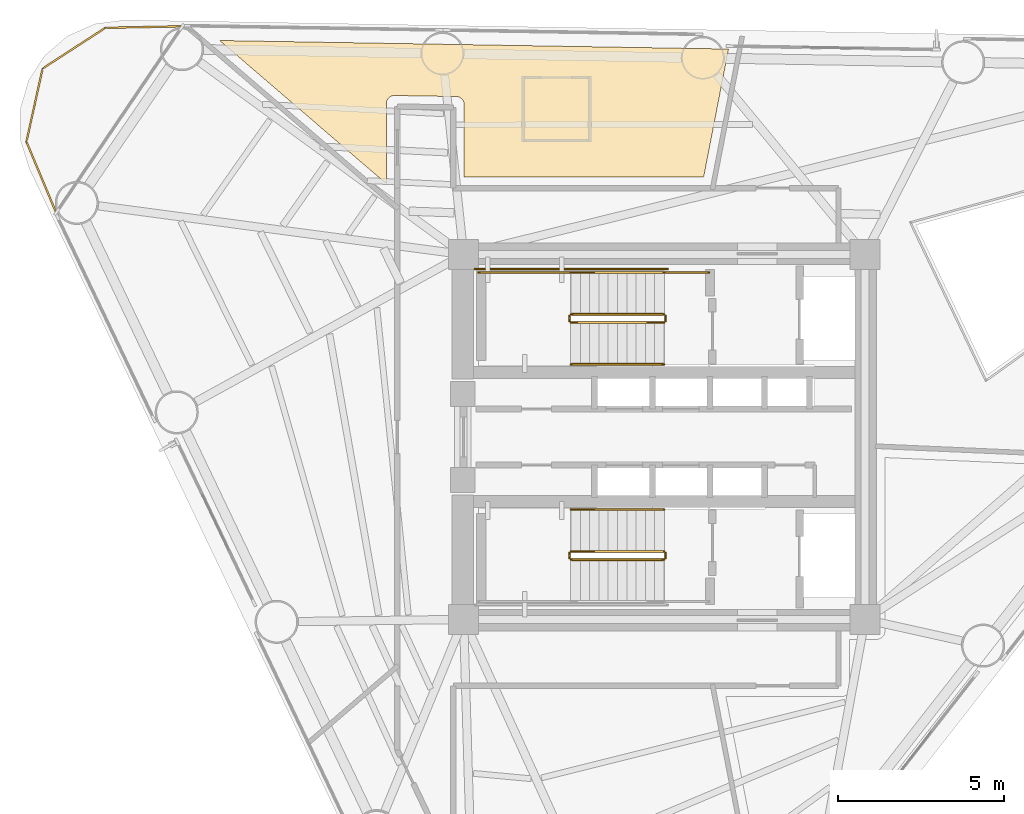
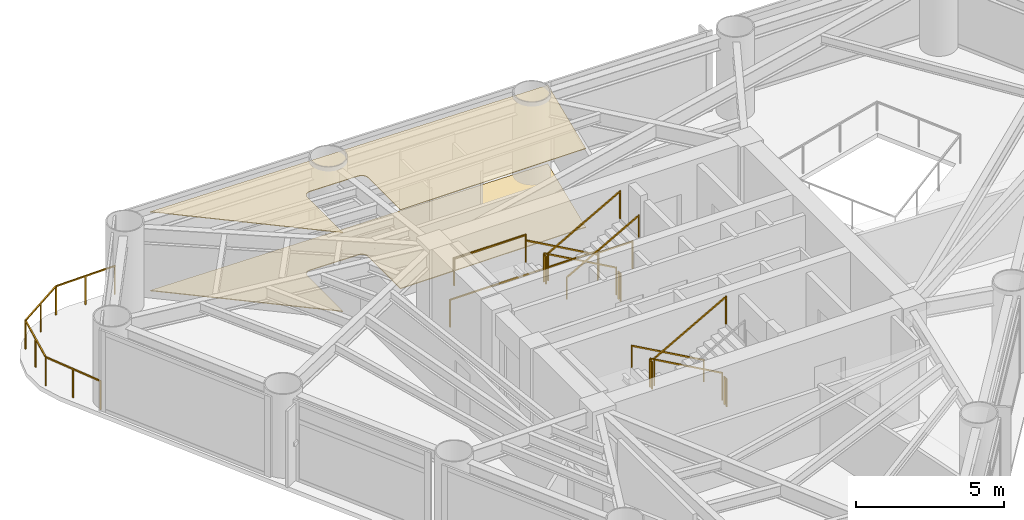
# One storey, part 9 of 10: 15 railings, 2 coverings.
"""IFC4 building model written with IfcOpenShell, lengths in metres."""

import ifcopenshell
import ifcopenshell.guid

model = None  # the IFC model being written
_history = None  # IfcOwnerHistory: only IFC2X3 demands one
_inside = {}  # id of a spatial element -> (the spatial element, [elements in it])
_under = {}  # id of a project, library or spatial element -> (it, [spatial elements below it])
_declared = {}  # id of a project -> (the project, [libraries it declares])
_typed = {}  # id of a type object -> (the type object, [elements of that type])
_made_of = {}  # id of a material, layer set ... -> (it, [elements and type objects made of it])


def new_model(schema):
    """Start an empty IFC model of exactly this schema.

    Asked for "IFC4X3", IfcOpenShell would pick the latest addendum, in which some entities
    have other attributes; the version numbers below select the first issue.
    IFC2X3 requires an IfcOwnerHistory on every rooted entity: one is made here for all.
    """
    global model, _history
    if schema == "IFC4X3":
        model = ifcopenshell.file(schema_version=(4, 3, 0, 0))
    else:
        model = ifcopenshell.file(schema=schema)
    _inside.clear()
    _under.clear()
    _declared.clear()
    _typed.clear()
    _made_of.clear()
    _history = None
    if model.schema == "IFC2X3":
        org = make("IfcOrganization", Name="unknown")
        user = make(
            "IfcPersonAndOrganization",
            ThePerson=make("IfcPerson", FamilyName="unknown"),
            TheOrganization=org,
        )
        app = make(
            "IfcApplication",
            ApplicationDeveloper=org,
            Version="unknown",
            ApplicationFullName="unknown",
            ApplicationIdentifier="unknown",
        )
        _history = make(
            "IfcOwnerHistory",
            OwningUser=user,
            OwningApplication=app,
            ChangeAction="ADDED",
            CreationDate=0,
        )
    return model


def make(cls, **values):
    """One entity of the class cls with the attributes given. An attribute that is None is left unset."""
    return model.create_entity(
        cls, **{name: value for name, value in values.items() if value is not None}
    )


def rooted(cls, **values):
    """An entity with a GlobalId (a new one), such as an element, a storey or a relation."""
    return make(cls, GlobalId=ifcopenshell.guid.new(), OwnerHistory=_history, **values)


def si_unit(unit_type, name, prefix=None):
    """IfcSIUnit, for example si_unit("LENGTHUNIT", "METRE", prefix="MILLI")."""
    return make("IfcSIUnit", UnitType=unit_type, Prefix=prefix, Name=name)


def assignment(units):
    """IfcUnitAssignment: the units of a project."""
    return None if units is None else make("IfcUnitAssignment", Units=units)


def point(xyz):
    """IfcCartesianPoint."""
    return None if xyz is None else make("IfcCartesianPoint", Coordinates=xyz)


def direction(xyz):
    """IfcDirection."""
    return None if xyz is None else make("IfcDirection", DirectionRatios=xyz)


def frame(location, z_axis=None, x_axis=None):
    """IfcAxis2Placement3D, a coordinate frame: its origin and axes. An axis left out is left unset."""
    return make(
        "IfcAxis2Placement3D",
        Location=point(location),
        Axis=direction(z_axis),
        RefDirection=direction(x_axis),
    )


def frame_2d(location, x_axis=None):
    """IfcAxis2Placement2D, a coordinate frame in the plane: its origin and x axis."""
    return make(
        "IfcAxis2Placement2D", Location=point(location), RefDirection=direction(x_axis)
    )


def origin():
    """The frame at (0, 0, 0) with its axes left unset."""
    return frame((0.0, 0.0, 0.0))


def origin_2d():
    """The frame at (0, 0) in the plane with its x axis left unset."""
    return frame_2d((0.0, 0.0))


def place(relative_to, where):
    """IfcLocalPlacement: puts the frame where relative to a parent placement (None: the world)."""
    return make(
        "IfcLocalPlacement", PlacementRelTo=relative_to, RelativePlacement=where
    )


def context(
    kind, dimensions, precision=None, world=None, true_north=None, identifier=None
):
    """IfcGeometricRepresentationContext, for example the 3D "Model" context."""
    return make(
        "IfcGeometricRepresentationContext",
        ContextIdentifier=identifier,
        ContextType=kind,
        CoordinateSpaceDimension=dimensions,
        Precision=precision,
        WorldCoordinateSystem=world,
        TrueNorth=true_north,
    )


def subcontext(parent, identifier, kind, view, scale=None):
    """IfcGeometricRepresentationSubContext, for example "Body" below "Model"."""
    return make(
        "IfcGeometricRepresentationSubContext",
        ContextIdentifier=identifier,
        ContextType=kind,
        ParentContext=parent,
        TargetScale=scale,
        TargetView=view,
    )


def project(units=None, contexts=None):
    """IfcProject with its units and contexts."""
    return rooted(
        "IfcProject",
        Name="project",
        RepresentationContexts=contexts,
        UnitsInContext=assignment(units),
    )


def spatial(cls, under=None, at=None, **own):
    """A site, building, storey or space (cls), placed at a placement, below another one or the project."""
    s = rooted(cls, ObjectPlacement=at, **own)
    if under is not None:
        _under.setdefault(under.id(), (under, []))[1].append(s)
    return s


def polyline(points):
    """IfcPolyline through the points."""
    return make("IfcPolyline", Points=[point(p) for p in points])


def profile(cls, at=None, kind="AREA", **sizes):
    """A parametric profile (cls). Its sizes go by their IFC names, for example OverallWidth=200.0."""
    return make(cls, ProfileType=kind, Position=at, **sizes)


def rectangle(**sizes):
    """IfcRectangleProfileDef."""
    return profile("IfcRectangleProfileDef", **sizes)


def outline(outer, holes=None, kind="AREA"):
    """IfcArbitraryClosedProfileDef: a profile drawn as a closed curve; with holes, ...WithVoids."""
    if holes is None:
        return make("IfcArbitraryClosedProfileDef", ProfileType=kind, OuterCurve=outer)
    return make(
        "IfcArbitraryProfileDefWithVoids",
        ProfileType=kind,
        OuterCurve=outer,
        InnerCurves=holes,
    )


def extrude(swept, where, along, depth):
    """IfcExtrudedAreaSolid: the profile swept, set in the frame where, extruded along a direction by depth."""
    return make(
        "IfcExtrudedAreaSolid",
        SweptArea=swept,
        Position=where,
        ExtrudedDirection=direction(along),
        Depth=depth,
    )


def shape(context_of_items, identifier, shape_type, items):
    """IfcShapeRepresentation: the items that make up one representation, for example the "Body"."""
    return make(
        "IfcShapeRepresentation",
        ContextOfItems=context_of_items,
        RepresentationIdentifier=identifier,
        RepresentationType=shape_type,
        Items=items,
    )


def material(Name=None, Category=None):
    """IfcMaterial."""
    return make("IfcMaterial", Name=Name, Category=Category)


def layer(
    of_material, thickness, ventilated=None, Name=None, Category=None, Priority=None
):
    """IfcMaterialLayer: one layer of a wall or slab, of a material (None: an air gap)."""
    return make(
        "IfcMaterialLayer",
        Material=of_material,
        LayerThickness=thickness,
        IsVentilated=ventilated,
        Name=Name,
        Category=Category,
        Priority=Priority,
    )


def layer_set(layers, Name=None):
    """IfcMaterialLayerSet."""
    return make("IfcMaterialLayerSet", MaterialLayers=layers, LayerSetName=Name)


def made_of(thing, what):
    """Note that an element or type object is made of a material, layer set ...; save() writes the relation."""
    if what is not None:
        _made_of.setdefault(what.id(), (what, []))[1].append(thing)
    return thing


def type_object(cls, material=None, **own):
    """A type object (cls), such as IfcWallType, which elements share."""
    return made_of(rooted(cls, **own), material)


def element(
    cls,
    number,
    at=None,
    inside=None,
    cuts=None,
    type_object=None,
    material=None,
    context=None,
    identifier="Body",
    shape_type=None,
    held_by="IfcProductDefinitionShape",
    body=None,
    shapes=None,
    **own,
):
    """One element of the class cls, such as IfcWall. Its Tag is "e" and its number.

    at: its placement. inside: the storey or other place that contains it. cuts: it is an
    opening in that element (IfcRelVoidsElement). A single representation is given by context,
    identifier, shape_type and body (its items); several are given by shapes. held_by: the class
    of the entity that holds the representations. save() writes the other relations.
    """
    e = rooted(cls, Tag="e%d" % number, ObjectPlacement=at, **own)
    if body is not None:
        shapes = [shape(context, identifier, shape_type, body)]
    if shapes is not None:
        e.Representation = make(held_by, Representations=shapes)
    if inside is not None:
        _inside.setdefault(inside.id(), (inside, []))[1].append(e)
    if cuts is not None:
        rooted(
            "IfcRelVoidsElement", RelatingBuildingElement=cuts, RelatedOpeningElement=e
        )
    if type_object is not None:
        _typed.setdefault(type_object.id(), (type_object, []))[1].append(e)
    return made_of(e, material)


def aggregate(whole, parts):
    """IfcRelAggregates: a whole, such as a stair, and the parts it consists of."""
    return rooted("IfcRelAggregates", RelatingObject=whole, RelatedObjects=parts)


def save(model, path):
    """Write the relations noted so far, then the file.

    IfcRelAggregates (storeys below a building ...), IfcRelContainedInSpatialStructure (elements
    in a storey), IfcRelDefinesByType, IfcRelAssociatesMaterial and IfcRelDeclares: one each for
    every whole, place, type object, material and project.
    """
    for whole, parts in _under.values():
        aggregate(whole, parts)
    for where, things in _inside.values():
        rooted(
            "IfcRelContainedInSpatialStructure",
            RelatedElements=things,
            RelatingStructure=where,
        )
    for kind, things in _typed.values():
        rooted("IfcRelDefinesByType", RelatedObjects=things, RelatingType=kind)
    for what, things in _made_of.values():
        rooted("IfcRelAssociatesMaterial", RelatedObjects=things, RelatingMaterial=what)
    for by, libraries in _declared.values():
        rooted("IfcRelDeclares", RelatingContext=by, RelatedDefinitions=libraries)
    model.write(path)


model = new_model("IFC4")

# Units and contexts
model_context = context("Model", 3, precision=1e-05, world=origin(), true_north=direction((0.0, 1.0)))
body_context = subcontext(model_context, "Body", "Model", "MODEL_VIEW")
ifc_project = project(units=[si_unit("LENGTHUNIT", "METRE"), si_unit("AREAUNIT", "SQUARE_METRE"), si_unit("VOLUMEUNIT", "CUBIC_METRE"), si_unit("PLANEANGLEUNIT", "RADIAN"), si_unit("MASSUNIT", "GRAM", prefix="KILO")], contexts=[model_context])

# Site, building, storey
site_placement = place(None, origin())
site = spatial("IfcSite", under=ifc_project, at=site_placement, CompositionType="ELEMENT")
building_placement = place(site_placement, origin())
building = spatial("IfcBuilding", under=site, at=building_placement, Name="Yunling Apex Tower", CompositionType="ELEMENT")
storey_placement = place(building_placement, frame((0.0, 0.0, 146.75)))
storey = spatial("IfcBuildingStorey", under=building, at=storey_placement, Name="L36", CompositionType="ELEMENT", Elevation=146.75)

# Coverings
ifc_material_1 = material(Name="Acoustic mineral fibre ceiling")
ifc_layer_1 = layer(ifc_material_1, 0.02490234375)
ifc_layer_set_1 = layer_set([ifc_layer_1], Name="Acoustic mineral fibre ceiling")
covering_type_1 = type_object("IfcCoveringType", Name="CV-CLG-1", PredefinedType="CEILING", material=ifc_layer_set_1)
covering_1_placement = place(storey_placement, frame((0.0, 0.0, 3.2451171875)))
element("IfcCovering", 1, at=covering_1_placement, inside=storey, type_object=covering_type_1, Name="CV-CL-SP-L36-GR04", PredefinedType="CEILING", context=body_context, shape_type="SweptSolid", body=[
    extrude(outline(polyline([(1.93701171875, 11.69384765625), (1.185791015625, 7.830078125), (-6.030029296875, 7.830078125), (-6.030029296875, 10.01513671875), (-6.03076171875, 10.036865234375), (-6.034912109375, 10.0615234375), (-6.03955078125, 10.080810546875), (-6.04833984375, 10.107177734375), (-6.060546875, 10.131103515625), (-6.070556640625, 10.148193359375), (-6.083251953125, 10.166015625), (-6.1025390625, 10.1884765625), (-6.12109375, 10.204345703125), (-6.13818359375, 10.2177734375), (-6.15966796875, 10.230712890625), (-6.180419921875, 10.240966796875), (-6.202392578125, 10.2490234375), (-6.228271484375, 10.256591796875), (-6.25390625, 10.260009765625), (-6.27001953125, 10.26123046875), (-8.13134765625, 10.29248046875), (-8.1474609375, 10.291748046875), (-8.172607421875, 10.289306640625), (-8.201416015625, 10.2822265625), (-8.222900390625, 10.274658203125), (-8.24365234375, 10.265380859375), (-8.267822265625, 10.25146484375), (-8.2890625, 10.235595703125), (-8.3046875, 10.22119140625), (-8.32177734375, 10.203369140625), (-8.33740234375, 10.1826171875), (-8.349609375, 10.162353515625), (-8.361083984375, 10.138916015625), (-8.369384765625, 10.114990234375), (-8.375, 10.093017578125), (-8.37939453125, 10.067138671875), (-8.3798828125, 10.0458984375), (-8.3798828125, 7.634521484375), (-13.404296875, 11.950927734375), (1.93701171875, 11.69384765625)])), origin(), (0.0, 0.0, 1.0), 0.02490234375),
])
ifc_material_2 = material(Name="Polished granite stone", Category="masonry")
ifc_layer_2 = layer(ifc_material_2, 0.030029296875)
ifc_layer_set_2 = layer_set([ifc_layer_2], Name="Polished granite stone")
covering_type_2 = type_object("IfcCoveringType", Name="CV-FLR-1", PredefinedType="FLOORING", material=ifc_layer_set_2)
covering_2_placement = place(storey_placement, origin())
element("IfcCovering", 2, at=covering_2_placement, inside=storey, type_object=covering_type_2, Name="CV-FL-SP-L36-GR04", PredefinedType="FLOORING", context=body_context, shape_type="SweptSolid", body=[
    extrude(outline(polyline([(1.93701171875, 11.69384765625), (1.185791015625, 7.830078125), (-6.030029296875, 7.830078125), (-6.030029296875, 10.01513671875), (-6.03076171875, 10.036865234375), (-6.034912109375, 10.0615234375), (-6.03955078125, 10.080810546875), (-6.04833984375, 10.107177734375), (-6.060546875, 10.131103515625), (-6.070556640625, 10.148193359375), (-6.083251953125, 10.166015625), (-6.1025390625, 10.1884765625), (-6.12109375, 10.204345703125), (-6.13818359375, 10.2177734375), (-6.15966796875, 10.230712890625), (-6.180419921875, 10.240966796875), (-6.202392578125, 10.2490234375), (-6.228271484375, 10.256591796875), (-6.25390625, 10.260009765625), (-6.27001953125, 10.26123046875), (-8.13134765625, 10.29248046875), (-8.1474609375, 10.291748046875), (-8.172607421875, 10.289306640625), (-8.201416015625, 10.2822265625), (-8.222900390625, 10.274658203125), (-8.24365234375, 10.265380859375), (-8.267822265625, 10.25146484375), (-8.2890625, 10.235595703125), (-8.3046875, 10.22119140625), (-8.32177734375, 10.203369140625), (-8.33740234375, 10.1826171875), (-8.349609375, 10.162353515625), (-8.361083984375, 10.138916015625), (-8.369384765625, 10.114990234375), (-8.375, 10.093017578125), (-8.37939453125, 10.067138671875), (-8.3798828125, 10.0458984375), (-8.3798828125, 7.634521484375), (-13.404296875, 11.950927734375), (1.93701171875, 11.69384765625)])), origin(), (0.0, 0.0, 1.0), 0.030029296875),
])

# Railings
ifc_material_3 = material(Name="Bronze anodised aluminium", Category="aluminium")
railing_type_1 = type_object("IfcRailingType", Name="RL-BAL-1200", PredefinedType="BALUSTRADE", material=ifc_material_3)
railing_1_placement = place(storey_placement, frame((-18.331298828125, 6.7578125, 0.0)))
element("IfcRailing", 3, at=railing_1_placement, inside=storey, type_object=railing_type_1, Name="RL-CRNSILL-L36-2", PredefinedType="BALUSTRADE", context=body_context, shape_type="SweptSolid", body=[
    extrude(rectangle(XDim=0.0439453125, YDim=0.0439453125, at=origin_2d()), origin(), (0.0, 0.0, 1.0), 1.199951171875),
    extrude(rectangle(XDim=0.0439453125, YDim=0.0439453125, at=origin_2d()), frame((-0.896240234375, 2.142578125, 0.0)), (0.0, 0.0, 1.0), 1.199951171875),
    extrude(rectangle(XDim=0.050048828125, YDim=0.050048828125, at=origin_2d()), frame((-0.014892578125, 0.035400390625, 1.1748046875), z_axis=(-0.385898856138, 0.92254109547, 0.0), x_axis=(-0.92254109547, -0.385898856138, 0.0)), (0.0, 0.0, 1.0), 2.245849609375),
    extrude(rectangle(XDim=0.0439453125, YDim=0.0439453125, at=origin_2d()), frame((-0.4482421875, 1.0712890625, 0.0)), (0.0, 0.0, 1.0), 1.14599609375),
    extrude(rectangle(XDim=0.0439453125, YDim=0.0439453125, at=origin_2d()), frame((-0.407958984375, 4.349609375, 0.0)), (0.0, 0.0, 1.0), 1.199951171875),
    extrude(rectangle(XDim=0.050048828125, YDim=0.050048828125, at=origin_2d()), frame((-0.887939453125, 2.179931640625, 1.1748046875), z_axis=(0.216015473483, 0.976389940145, 0.0), x_axis=(-0.976389940145, 0.216015473483, 0.0)), (0.0, 0.0, 1.0), 2.183837890625),
    extrude(rectangle(XDim=0.0439453125, YDim=0.0439453125, at=origin_2d()), frame((-0.652099609375, 3.24609375, 0.0)), (0.0, 0.0, 1.0), 1.14599609375),
    extrude(rectangle(XDim=0.0439453125, YDim=0.0439453125, at=origin_2d()), frame((1.482666015625, 5.574951171875, 0.0)), (0.0, 0.0, 1.0), 1.199951171875),
    extrude(rectangle(XDim=0.050048828125, YDim=0.050048828125, at=origin_2d()), frame((-0.375732421875, 4.370361328125, 1.1748046875), z_axis=(0.83916580884, 0.543875670786, 0.0), x_axis=(-0.543875670786, 0.83916580884, 0.0)), (0.0, 0.0, 1.0), 2.17626953125),
    extrude(rectangle(XDim=0.0439453125, YDim=0.0439453125, at=origin_2d()), frame((0.537353515625, 4.96240234375, 0.0)), (0.0, 0.0, 1.0), 1.14599609375),
    extrude(rectangle(XDim=0.0439453125, YDim=0.0439453125, at=origin_2d()), frame((3.805419921875, 5.6220703125, 0.0)), (0.0, 0.0, 1.0), 1.199951171875),
    extrude(rectangle(XDim=0.050048828125, YDim=0.050048828125, at=origin_2d()), frame((1.52099609375, 5.57568359375, 1.1748046875), z_axis=(0.999794304726, 0.020281721759, 0.0), x_axis=(-0.020281721759, 0.999794304726, 0.0)), (0.0, 0.0, 1.0), 2.24658203125),
    extrude(rectangle(XDim=0.0439453125, YDim=0.0439453125, at=origin_2d()), frame((2.64404296875, 5.5986328125, 0.0)), (0.0, 0.0, 1.0), 1.14599609375),
])
ifc_material_4 = material(Name="Steel Q355B", Category="steel")
railing_type_2 = type_object("IfcRailingType", Name="RL-GRD-1150", PredefinedType="GUARDRAIL", material=ifc_material_4)
railing_2_placement = place(storey_placement, frame((-0.010009765625, 3.699951171875, 0.15673828125)))
element("IfcRailing", 4, at=railing_2_placement, inside=storey, type_object=railing_type_2, Name="L36 ST-1 stair guard 1", PredefinedType="GUARDRAIL", context=body_context, shape_type="SweptSolid", body=[
    extrude(rectangle(XDim=0.0439453125, YDim=0.0439453125, at=origin_2d()), origin(), (0.0, 0.0, 1.0), 1.14990234375),
    extrude(rectangle(XDim=0.0439453125, YDim=0.0439453125, at=origin_2d()), frame((-2.800048828125, 0.0, 1.568359375)), (0.0, 0.0, 1.0), 1.14990234375),
    extrude(rectangle(XDim=0.050048828125, YDim=0.050048828125, at=origin_2d()), frame((-0.033447265625, 0.0, 1.1435546875), z_axis=(-0.872461907711, 0.0, 0.488682125306), x_axis=(0.0, -1.0, 0.0)), (0.0, 0.0, 1.0), 3.1328125),
])
railing_3_placement = place(storey_placement, frame((-2.860107421875, 3.64990234375, 1.72509765625)))
element("IfcRailing", 5, at=railing_3_placement, inside=storey, type_object=railing_type_2, Name="L36 ST-1 stair guard 2", PredefinedType="GUARDRAIL", context=body_context, shape_type="SweptSolid", body=[
    extrude(rectangle(XDim=0.0439453125, YDim=0.0439453125, at=origin_2d()), origin(), (0.0, 0.0, 1.0), 1.14990234375),
    extrude(rectangle(XDim=0.0439453125, YDim=0.0439453125, at=origin_2d()), frame((0.0, -0.14990234375, 0.0)), (0.0, 0.0, 1.0), 1.14990234375),
    extrude(rectangle(XDim=0.050048828125, YDim=0.050048828125, at=origin_2d()), frame((0.0, -0.038330078125, 1.125), z_axis=(0.0, -1.0, 0.0), x_axis=(1.0, 0.0, 0.0)), (0.0, 0.0, 1.0), 0.0732421875),
])
railing_4_placement = place(storey_placement, frame((-2.81005859375, 4.9599609375, 1.72509765625)))
element("IfcRailing", 6, at=railing_4_placement, inside=storey, type_object=railing_type_2, Name="L36 ST-1 stair guard 3", PredefinedType="GUARDRAIL", context=body_context, shape_type="SweptSolid", body=[
    extrude(rectangle(XDim=0.0439453125, YDim=0.0439453125, at=origin_2d()), origin(), (0.0, 0.0, 1.0), 1.14990234375),
    extrude(rectangle(XDim=0.0439453125, YDim=0.0439453125, at=origin_2d()), frame((-2.7900390625, 0.0, 0.0)), (0.0, 0.0, 1.0), 1.14990234375),
    extrude(rectangle(XDim=0.050048828125, YDim=0.050048828125, at=origin_2d()), frame((-0.038330078125, 0.0, 1.125), z_axis=(-1.0, 0.0, 0.0), x_axis=(0.0, -1.0, 0.0)), (0.0, 0.0, 1.0), 2.71337890625),
])
railing_5_placement = place(storey_placement, frame((-2.81005859375, 3.449951171875, 1.8818359375)))
element("IfcRailing", 7, at=railing_5_placement, inside=storey, type_object=railing_type_2, Name="L36 ST-1 stair guard 4", PredefinedType="GUARDRAIL", context=body_context, shape_type="SweptSolid", body=[
    extrude(rectangle(XDim=0.0439453125, YDim=0.0439453125, at=origin_2d()), origin(), (0.0, 0.0, 1.0), 1.14990234375),
    extrude(rectangle(XDim=0.0439453125, YDim=0.0439453125, at=origin_2d()), frame((2.800048828125, 0.0, 1.568115234375)), (0.0, 0.0, 1.0), 1.14990234375),
    extrude(rectangle(XDim=0.050048828125, YDim=0.050048828125, at=origin_2d()), frame((0.033447265625, 0.0, 1.1435546875), z_axis=(0.872494340497, 0.0, 0.48862421737), x_axis=(0.0, 1.0, 0.0)), (0.0, 0.0, 1.0), 3.132568359375),
])
railing_6_placement = place(storey_placement, frame((0.0400390625, 3.64990234375, 0.0)))
element("IfcRailing", 8, at=railing_6_placement, inside=storey, type_object=railing_type_2, Name="L36 ST-1 stair guard 5", PredefinedType="GUARDRAIL", context=body_context, shape_type="SweptSolid", body=[
    extrude(rectangle(XDim=0.0439453125, YDim=0.0439453125, at=origin_2d()), origin(), (0.0, 0.0, 1.0), 1.14990234375),
    extrude(rectangle(XDim=0.0439453125, YDim=0.0439453125, at=origin_2d()), frame((0.0, -0.14990234375, 0.0)), (0.0, 0.0, 1.0), 1.14990234375),
    extrude(rectangle(XDim=0.050048828125, YDim=0.050048828125, at=origin_2d()), frame((0.0, -0.038330078125, 1.125), z_axis=(0.0, -1.0, 0.0), x_axis=(1.0, 0.0, 0.0)), (0.0, 0.0, 1.0), 0.0732421875),
])
railing_7_placement = place(storey_placement, frame((1.35009765625, 4.9599609375, 0.0)))
element("IfcRailing", 9, at=railing_7_placement, inside=storey, type_object=railing_type_2, Name="L36 ST-1 stair guard 6", PredefinedType="GUARDRAIL", context=body_context, shape_type="SweptSolid", body=[
    extrude(rectangle(XDim=0.0439453125, YDim=0.0439453125, at=origin_2d()), origin(), (0.0, 0.0, 1.0), 1.14990234375),
    extrude(rectangle(XDim=0.0439453125, YDim=0.0439453125, at=origin_2d()), frame((-1.360107421875, 0.0, 0.0)), (0.0, 0.0, 1.0), 1.14990234375),
    extrude(rectangle(XDim=0.050048828125, YDim=0.050048828125, at=origin_2d()), frame((-0.038330078125, 0.0, 1.125), z_axis=(-1.0, 0.0, 0.0), x_axis=(0.0, -1.0, 0.0)), (0.0, 0.0, 1.0), 1.283447265625),
])
railing_8_placement = place(storey_placement, frame((0.090087890625, 5.06005859375, 0.0)))
element("IfcRailing", 10, at=railing_8_placement, inside=storey, type_object=railing_type_2, Name="L36 ST-1 stair guard 7", PredefinedType="GUARDRAIL", context=body_context, shape_type="SweptSolid", body=[
    extrude(rectangle(XDim=0.0439453125, YDim=0.0439453125, at=origin_2d()), origin(), (0.0, 0.0, 1.0), 1.14990234375),
    extrude(rectangle(XDim=0.0439453125, YDim=0.0439453125, at=origin_2d()), frame((-5.7900390625, 0.0, 0.0)), (0.0, 0.0, 1.0), 1.14990234375),
    extrude(rectangle(XDim=0.050048828125, YDim=0.050048828125, at=origin_2d()), frame((-0.038330078125, 0.0, 1.125), z_axis=(-1.0, 0.0, 0.0), x_axis=(0.0, -1.0, 0.0)), (0.0, 0.0, 1.0), 5.71337890625),
])
railing_9_placement = place(storey_placement, frame((-0.010009765625, -3.449951171875, 0.15673828125)))
element("IfcRailing", 11, at=railing_9_placement, inside=storey, type_object=railing_type_2, Name="L36 ST-2 stair guard 1", PredefinedType="GUARDRAIL", context=body_context, shape_type="SweptSolid", body=[
    extrude(rectangle(XDim=0.0439453125, YDim=0.0439453125, at=origin_2d()), origin(), (0.0, 0.0, 1.0), 1.14990234375),
    extrude(rectangle(XDim=0.0439453125, YDim=0.0439453125, at=origin_2d()), frame((-2.800048828125, 0.0, 1.568359375)), (0.0, 0.0, 1.0), 1.14990234375),
    extrude(rectangle(XDim=0.050048828125, YDim=0.050048828125, at=origin_2d()), frame((-0.033447265625, 0.0, 1.1435546875), z_axis=(-0.872461907711, 0.0, 0.488682125306), x_axis=(0.0, -1.0, 0.0)), (0.0, 0.0, 1.0), 3.1328125),
])
railing_10_placement = place(storey_placement, frame((-2.860107421875, -3.5, 1.72509765625)))
element("IfcRailing", 12, at=railing_10_placement, inside=storey, type_object=railing_type_2, Name="L36 ST-2 stair guard 2", PredefinedType="GUARDRAIL", context=body_context, shape_type="SweptSolid", body=[
    extrude(rectangle(XDim=0.0439453125, YDim=0.0439453125, at=origin_2d()), origin(), (0.0, 0.0, 1.0), 1.14990234375),
    extrude(rectangle(XDim=0.0439453125, YDim=0.0439453125, at=origin_2d()), frame((0.0, -0.14990234375, 0.0)), (0.0, 0.0, 1.0), 1.14990234375),
    extrude(rectangle(XDim=0.050048828125, YDim=0.050048828125, at=origin_2d()), frame((0.0, -0.038330078125, 1.125), z_axis=(0.0, -1.0, 0.0), x_axis=(1.0, 0.0, 0.0)), (0.0, 0.0, 1.0), 0.0732421875),
])
railing_11_placement = place(storey_placement, frame((-2.81005859375, -3.699951171875, 1.8818359375)))
element("IfcRailing", 13, at=railing_11_placement, inside=storey, type_object=railing_type_2, Name="L36 ST-2 stair guard 4", PredefinedType="GUARDRAIL", context=body_context, shape_type="SweptSolid", body=[
    extrude(rectangle(XDim=0.0439453125, YDim=0.0439453125, at=origin_2d()), origin(), (0.0, 0.0, 1.0), 1.14990234375),
    extrude(rectangle(XDim=0.0439453125, YDim=0.0439453125, at=origin_2d()), frame((2.800048828125, 0.0, 1.568115234375)), (0.0, 0.0, 1.0), 1.14990234375),
    extrude(rectangle(XDim=0.050048828125, YDim=0.050048828125, at=origin_2d()), frame((0.033447265625, 0.0, 1.1435546875), z_axis=(0.872494340497, 0.0, 0.48862421737), x_axis=(0.0, 1.0, 0.0)), (0.0, 0.0, 1.0), 3.132568359375),
])
railing_12_placement = place(storey_placement, frame((0.0400390625, -3.5, 0.0)))
element("IfcRailing", 14, at=railing_12_placement, inside=storey, type_object=railing_type_2, Name="L36 ST-2 stair guard 5", PredefinedType="GUARDRAIL", context=body_context, shape_type="SweptSolid", body=[
    extrude(rectangle(XDim=0.0439453125, YDim=0.0439453125, at=origin_2d()), origin(), (0.0, 0.0, 1.0), 1.14990234375),
    extrude(rectangle(XDim=0.0439453125, YDim=0.0439453125, at=origin_2d()), frame((0.0, -0.14990234375, 0.0)), (0.0, 0.0, 1.0), 1.14990234375),
    extrude(rectangle(XDim=0.050048828125, YDim=0.050048828125, at=origin_2d()), frame((0.0, -0.038330078125, 1.125), z_axis=(0.0, -1.0, 0.0), x_axis=(1.0, 0.0, 0.0)), (0.0, 0.0, 1.0), 0.0732421875),
])
ifc_material_5 = material(Name="Silver anodised aluminium", Category="aluminium")
railing_type_3 = type_object("IfcRailingType", Name="RL-HND-900", PredefinedType="HANDRAIL", material=ifc_material_5)
railing_13_placement = place(storey_placement, frame((-0.010009765625, 4.9599609375, 0.15673828125)))
element("IfcRailing", 15, at=railing_13_placement, inside=storey, type_object=railing_type_3, Name="L36 ST-1 stair handrail 1", PredefinedType="HANDRAIL", context=body_context, shape_type="SweptSolid", body=[
    extrude(rectangle(XDim=0.0439453125, YDim=0.0439453125, at=origin_2d()), origin(), (0.0, 0.0, 1.0), 0.919921875),
    extrude(rectangle(XDim=0.0439453125, YDim=0.0439453125, at=origin_2d()), frame((-2.800048828125, 0.0, 1.568359375)), (0.0, 0.0, 1.0), 0.919921875),
    extrude(rectangle(XDim=0.050048828125, YDim=0.050048828125, at=origin_2d()), frame((-0.033447265625, 0.0, 0.91357421875), z_axis=(-0.872461907711, 0.0, 0.488682125306), x_axis=(0.0, -1.0, 0.0)), (0.0, 0.0, 1.0), 3.1328125),
])
railing_14_placement = place(storey_placement, frame((-2.81005859375, 2.18994140625, 1.8818359375)))
element("IfcRailing", 16, at=railing_14_placement, inside=storey, type_object=railing_type_3, Name="L36 ST-1 stair handrail 2", PredefinedType="HANDRAIL", context=body_context, shape_type="SweptSolid", body=[
    extrude(rectangle(XDim=0.0439453125, YDim=0.0439453125, at=origin_2d()), origin(), (0.0, 0.0, 1.0), 0.919921875),
    extrude(rectangle(XDim=0.0439453125, YDim=0.0439453125, at=origin_2d()), frame((2.800048828125, 0.0, 1.568115234375)), (0.0, 0.0, 1.0), 0.919921875),
    extrude(rectangle(XDim=0.050048828125, YDim=0.050048828125, at=origin_2d()), frame((0.033447265625, 0.0, 0.91357421875), z_axis=(0.872494340497, 0.0, 0.48862421737), x_axis=(0.0, 1.0, 0.0)), (0.0, 0.0, 1.0), 3.132568359375),
])
railing_15_placement = place(storey_placement, frame((-0.010009765625, -2.18994140625, 0.15673828125)))
element("IfcRailing", 17, at=railing_15_placement, inside=storey, type_object=railing_type_3, Name="L36 ST-2 stair handrail 1", PredefinedType="HANDRAIL", context=body_context, shape_type="SweptSolid", body=[
    extrude(rectangle(XDim=0.0439453125, YDim=0.0439453125, at=origin_2d()), origin(), (0.0, 0.0, 1.0), 0.919921875),
    extrude(rectangle(XDim=0.0439453125, YDim=0.0439453125, at=origin_2d()), frame((-2.800048828125, 0.0, 1.568359375)), (0.0, 0.0, 1.0), 0.919921875),
    extrude(rectangle(XDim=0.050048828125, YDim=0.050048828125, at=origin_2d()), frame((-0.033447265625, 0.0, 0.91357421875), z_axis=(-0.872461907711, 0.0, 0.488682125306), x_axis=(0.0, -1.0, 0.0)), (0.0, 0.0, 1.0), 3.1328125),
])

save(model, "model.ifc")
